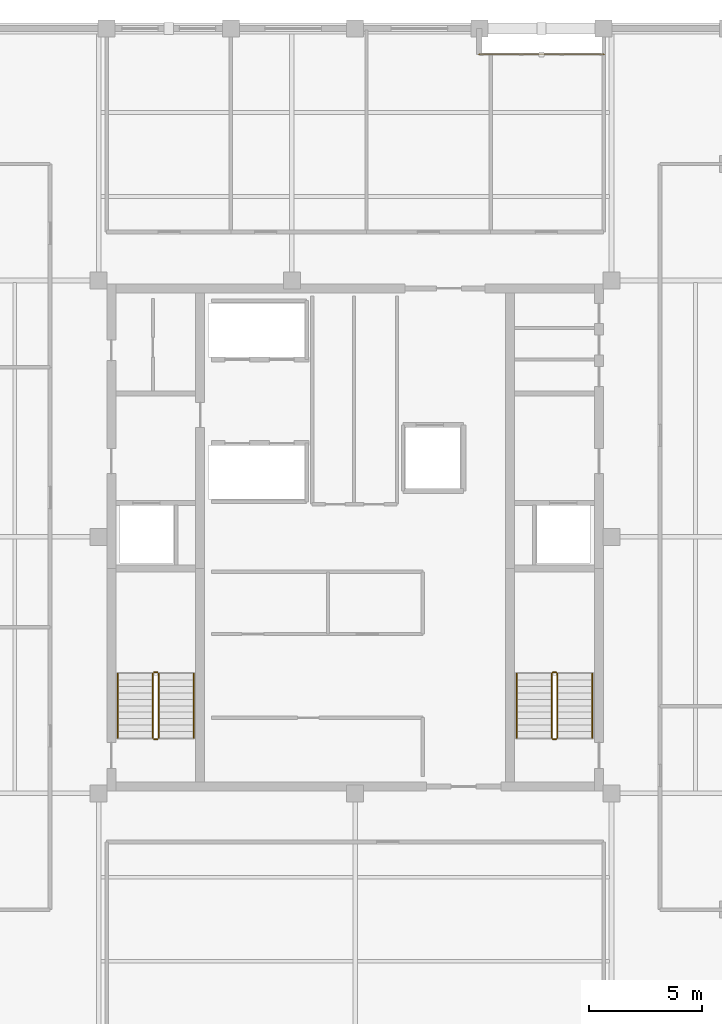
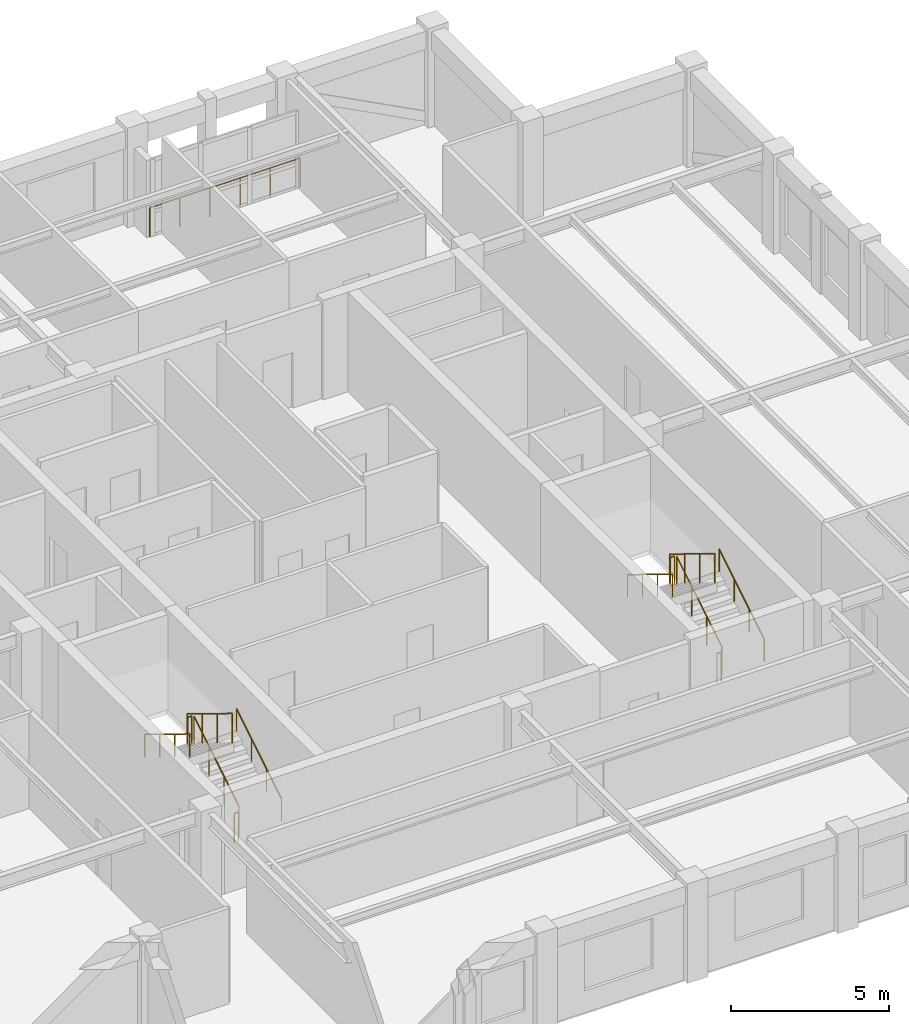
# One storey, part 10 of 10: 13 railings.
"""IFC4 building model written with IfcOpenShell, lengths in metres."""

from ifc_helpers import new_model, si_unit, direction, frame, origin, origin_2d, place, context, subcontext, project, spatial, circle, extrude, material, type_object, element, save


model = new_model("IFC4")

# Units and contexts
model_context = context("Model", 3, precision=1e-05, world=origin(), true_north=direction((0.0, 1.0)))
body_context = subcontext(model_context, "Body", "Model", "MODEL_VIEW")
ifc_project = project(units=[si_unit("LENGTHUNIT", "METRE"), si_unit("AREAUNIT", "SQUARE_METRE"), si_unit("VOLUMEUNIT", "CUBIC_METRE"), si_unit("PLANEANGLEUNIT", "RADIAN"), si_unit("MASSUNIT", "GRAM", prefix="KILO")], contexts=[model_context])

# Site, building, storey
site_placement = place(None, origin())
site = spatial("IfcSite", under=ifc_project, at=site_placement, CompositionType="ELEMENT")
building_placement = place(site_placement, origin())
building = spatial("IfcBuilding", under=site, at=building_placement, Name="Nhamokura Convention Tower", CompositionType="ELEMENT")
storey_placement = place(building_placement, frame((0.0, 0.0, 277.550048828125)))
storey = spatial("IfcBuildingStorey", under=building, at=storey_placement, Name="L68", CompositionType="ELEMENT", Elevation=277.550048828125)

# Railings
ifc_material_1 = material(Name="Anodised bronze stainless steel", Category="steel")
railing_type_1 = type_object("IfcRailingType", Name="StairWallHandrail_900", PredefinedType="HANDRAIL", material=ifc_material_1)
railing_1_placement = place(storey_placement, frame((24.85009765625, 23.10009765625, 0.175048828125)))
element("IfcRailing", 1, at=railing_1_placement, inside=storey, type_object=railing_type_1, Name="L68 ST-01 stair handrail 1", PredefinedType="HANDRAIL", context=body_context, shape_type="SweptSolid", body=[
    extrude(circle(Radius=0.02392578125, at=origin_2d()), frame((0.0, 0.0, 0.8759765625), z_axis=(0.0, 0.852159232446, 0.523282564737), x_axis=(-1.0, 0.0, 0.0)), (0.0, 0.0, 1.0), 3.34423828125),
    extrude(circle(Radius=0.02099609375, at=origin_2d()), origin(), (0.0, 0.0, 1.0), 0.851806640625),
    extrude(circle(Radius=0.02099609375, at=origin_2d()), frame((0.0, 0.949951171875, 0.583251953125)), (0.0, 0.0, 1.0), 0.851806640625),
    extrude(circle(Radius=0.02099609375, at=origin_2d()), frame((0.0, 1.89990234375, 1.166748046875)), (0.0, 0.0, 1.0), 0.851806640625),
    extrude(circle(Radius=0.02099609375, at=origin_2d()), frame((0.0, 2.849853515625, 1.75)), (0.0, 0.0, 1.0), 0.851806640625),
])
railing_2_placement = place(storey_placement, frame((21.5, 25.949951171875, 2.099853515625)))
element("IfcRailing", 2, at=railing_2_placement, inside=storey, type_object=railing_type_1, Name="L68 ST-01 stair handrail 2", PredefinedType="HANDRAIL", context=body_context, shape_type="SweptSolid", body=[
    extrude(circle(Radius=0.02392578125, at=origin_2d()), frame((0.0, 0.0, 0.8759765625), z_axis=(0.0, -0.852159232446, 0.523282564737), x_axis=(1.0, 0.0, 0.0)), (0.0, 0.0, 1.0), 3.34423828125),
    extrude(circle(Radius=0.02099609375, at=origin_2d()), origin(), (0.0, 0.0, 1.0), 0.851806640625),
    extrude(circle(Radius=0.02099609375, at=origin_2d()), frame((0.0, -0.949951171875, 0.583251953125)), (0.0, 0.0, 1.0), 0.851806640625),
    extrude(circle(Radius=0.02099609375, at=origin_2d()), frame((0.0, -1.89990234375, 1.166748046875)), (0.0, 0.0, 1.0), 0.851806640625),
    extrude(circle(Radius=0.02099609375, at=origin_2d()), frame((0.0, -2.849853515625, 1.75)), (0.0, 0.0, 1.0), 0.851806640625),
])
railing_3_placement = place(storey_placement, frame((42.5, 23.10009765625, 0.175048828125)))
element("IfcRailing", 3, at=railing_3_placement, inside=storey, type_object=railing_type_1, Name="L68 ST-02 stair handrail 1", PredefinedType="HANDRAIL", context=body_context, shape_type="SweptSolid", body=[
    extrude(circle(Radius=0.02392578125, at=origin_2d()), frame((0.0, 0.0, 0.8759765625), z_axis=(0.0, 0.852159232446, 0.523282564737), x_axis=(-1.0, 0.0, 0.0)), (0.0, 0.0, 1.0), 3.34423828125),
    extrude(circle(Radius=0.02099609375, at=origin_2d()), origin(), (0.0, 0.0, 1.0), 0.851806640625),
    extrude(circle(Radius=0.02099609375, at=origin_2d()), frame((0.0, 0.949951171875, 0.583251953125)), (0.0, 0.0, 1.0), 0.851806640625),
    extrude(circle(Radius=0.02099609375, at=origin_2d()), frame((0.0, 1.89990234375, 1.166748046875)), (0.0, 0.0, 1.0), 0.851806640625),
    extrude(circle(Radius=0.02099609375, at=origin_2d()), frame((0.0, 2.849853515625, 1.75)), (0.0, 0.0, 1.0), 0.851806640625),
])
railing_4_placement = place(storey_placement, frame((39.14990234375, 25.949951171875, 2.099853515625)))
element("IfcRailing", 4, at=railing_4_placement, inside=storey, type_object=railing_type_1, Name="L68 ST-02 stair handrail 2", PredefinedType="HANDRAIL", context=body_context, shape_type="SweptSolid", body=[
    extrude(circle(Radius=0.02392578125, at=origin_2d()), frame((0.0, 0.0, 0.8759765625), z_axis=(0.0, -0.852159232446, 0.523282564737), x_axis=(1.0, 0.0, 0.0)), (0.0, 0.0, 1.0), 3.34423828125),
    extrude(circle(Radius=0.02099609375, at=origin_2d()), origin(), (0.0, 0.0, 1.0), 0.851806640625),
    extrude(circle(Radius=0.02099609375, at=origin_2d()), frame((0.0, -0.949951171875, 0.583251953125)), (0.0, 0.0, 1.0), 0.851806640625),
    extrude(circle(Radius=0.02099609375, at=origin_2d()), frame((0.0, -1.89990234375, 1.166748046875)), (0.0, 0.0, 1.0), 0.851806640625),
    extrude(circle(Radius=0.02099609375, at=origin_2d()), frame((0.0, -2.849853515625, 1.75)), (0.0, 0.0, 1.0), 0.851806640625),
])
ifc_material_2 = material(Name="Painted tubular steel", Category="steel")
railing_type_2 = type_object("IfcRailingType", Name="StairWellGuardrail_1150", PredefinedType="GUARDRAIL", material=ifc_material_2)
railing_5_placement = place(storey_placement, frame((23.300048828125, 23.10009765625, 0.175048828125)))
element("IfcRailing", 5, at=railing_5_placement, inside=storey, type_object=railing_type_2, Name="L68 ST-01 stair guard 1", PredefinedType="GUARDRAIL", context=body_context, shape_type="SweptSolid", body=[
    extrude(circle(Radius=0.02392578125, at=origin_2d()), frame((0.0, 0.0, 1.1259765625), z_axis=(0.0, 0.852159232446, 0.523282564737), x_axis=(-1.0, 0.0, 0.0)), (0.0, 0.0, 1.0), 3.34423828125),
    extrude(circle(Radius=0.02099609375, at=origin_2d()), origin(), (0.0, 0.0, 1.0), 1.101806640625),
    extrude(circle(Radius=0.02099609375, at=origin_2d()), frame((0.0, 0.949951171875, 0.583251953125)), (0.0, 0.0, 1.0), 1.101806640625),
    extrude(circle(Radius=0.02099609375, at=origin_2d()), frame((0.0, 1.89990234375, 1.166748046875)), (0.0, 0.0, 1.0), 1.101806640625),
    extrude(circle(Radius=0.02099609375, at=origin_2d()), frame((0.0, 2.849853515625, 1.75)), (0.0, 0.0, 1.0), 1.101806640625),
])
railing_6_placement = place(storey_placement, frame((23.25, 26.0, 1.925048828125)))
element("IfcRailing", 6, at=railing_6_placement, inside=storey, type_object=railing_type_2, Name="L68 ST-01 stair guard 2", PredefinedType="GUARDRAIL", context=body_context, shape_type="SweptSolid", body=[
    extrude(circle(Radius=0.02392578125, at=origin_2d()), frame((0.0, 0.0, 1.1259765625), z_axis=(-1.0, 0.0, 0.0), x_axis=(0.0, -1.0, 0.0)), (0.0, 0.0, 1.0), 0.14990234375),
    extrude(circle(Radius=0.02099609375, at=origin_2d()), origin(), (0.0, 0.0, 1.0), 1.101806640625),
    extrude(circle(Radius=0.02099609375, at=origin_2d()), frame((-0.14990234375, 0.0, 0.0)), (0.0, 0.0, 1.0), 1.101806640625),
])
railing_7_placement = place(storey_placement, frame((23.050048828125, 25.949951171875, 2.099853515625)))
element("IfcRailing", 7, at=railing_7_placement, inside=storey, type_object=railing_type_2, Name="L68 ST-01 stair guard 3", PredefinedType="GUARDRAIL", context=body_context, shape_type="SweptSolid", body=[
    extrude(circle(Radius=0.02392578125, at=origin_2d()), frame((0.0, 0.0, 1.1259765625), z_axis=(0.0, -0.852159232446, 0.523282564737), x_axis=(1.0, 0.0, 0.0)), (0.0, 0.0, 1.0), 3.34423828125),
    extrude(circle(Radius=0.02099609375, at=origin_2d()), origin(), (0.0, 0.0, 1.0), 1.101806640625),
    extrude(circle(Radius=0.02099609375, at=origin_2d()), frame((0.0, -0.949951171875, 0.583251953125)), (0.0, 0.0, 1.0), 1.101806640625),
    extrude(circle(Radius=0.02099609375, at=origin_2d()), frame((0.0, -1.89990234375, 1.166748046875)), (0.0, 0.0, 1.0), 1.101806640625),
    extrude(circle(Radius=0.02099609375, at=origin_2d()), frame((0.0, -2.849853515625, 1.75)), (0.0, 0.0, 1.0), 1.101806640625),
])
railing_8_placement = place(storey_placement, frame((23.25, 23.050048828125, 0.0)))
element("IfcRailing", 8, at=railing_8_placement, inside=storey, type_object=railing_type_2, Name="L68 ST-01 stair guard 4", PredefinedType="GUARDRAIL", context=body_context, shape_type="SweptSolid", body=[
    extrude(circle(Radius=0.02392578125, at=origin_2d()), frame((0.0, 0.0, 1.1259765625), z_axis=(-1.0, 0.0, 0.0), x_axis=(0.0, -1.0, 0.0)), (0.0, 0.0, 1.0), 0.14990234375),
    extrude(circle(Radius=0.02099609375, at=origin_2d()), origin(), (0.0, 0.0, 1.0), 1.101806640625),
    extrude(circle(Radius=0.02099609375, at=origin_2d()), frame((-0.14990234375, 0.0, 0.0)), (0.0, 0.0, 1.0), 1.101806640625),
])
railing_9_placement = place(storey_placement, frame((40.949951171875, 23.10009765625, 0.175048828125)))
element("IfcRailing", 9, at=railing_9_placement, inside=storey, type_object=railing_type_2, Name="L68 ST-02 stair guard 1", PredefinedType="GUARDRAIL", context=body_context, shape_type="SweptSolid", body=[
    extrude(circle(Radius=0.02392578125, at=origin_2d()), frame((0.0, 0.0, 1.1259765625), z_axis=(0.0, 0.852159232446, 0.523282564737), x_axis=(-1.0, 0.0, 0.0)), (0.0, 0.0, 1.0), 3.34423828125),
    extrude(circle(Radius=0.02099609375, at=origin_2d()), origin(), (0.0, 0.0, 1.0), 1.101806640625),
    extrude(circle(Radius=0.02099609375, at=origin_2d()), frame((0.0, 0.949951171875, 0.583251953125)), (0.0, 0.0, 1.0), 1.101806640625),
    extrude(circle(Radius=0.02099609375, at=origin_2d()), frame((0.0, 1.89990234375, 1.166748046875)), (0.0, 0.0, 1.0), 1.101806640625),
    extrude(circle(Radius=0.02099609375, at=origin_2d()), frame((0.0, 2.849853515625, 1.75)), (0.0, 0.0, 1.0), 1.101806640625),
])
railing_10_placement = place(storey_placement, frame((40.89990234375, 26.0, 1.925048828125)))
element("IfcRailing", 10, at=railing_10_placement, inside=storey, type_object=railing_type_2, Name="L68 ST-02 stair guard 2", PredefinedType="GUARDRAIL", context=body_context, shape_type="SweptSolid", body=[
    extrude(circle(Radius=0.02392578125, at=origin_2d()), frame((0.0, 0.0, 1.1259765625), z_axis=(-1.0, 0.0, 0.0), x_axis=(0.0, -1.0, 0.0)), (0.0, 0.0, 1.0), 0.14990234375),
    extrude(circle(Radius=0.02099609375, at=origin_2d()), origin(), (0.0, 0.0, 1.0), 1.101806640625),
    extrude(circle(Radius=0.02099609375, at=origin_2d()), frame((-0.14990234375, 0.0, 0.0)), (0.0, 0.0, 1.0), 1.101806640625),
])
railing_11_placement = place(storey_placement, frame((40.699951171875, 25.949951171875, 2.099853515625)))
element("IfcRailing", 11, at=railing_11_placement, inside=storey, type_object=railing_type_2, Name="L68 ST-02 stair guard 3", PredefinedType="GUARDRAIL", context=body_context, shape_type="SweptSolid", body=[
    extrude(circle(Radius=0.02392578125, at=origin_2d()), frame((0.0, 0.0, 1.1259765625), z_axis=(0.0, -0.852159232446, 0.523282564737), x_axis=(1.0, 0.0, 0.0)), (0.0, 0.0, 1.0), 3.34423828125),
    extrude(circle(Radius=0.02099609375, at=origin_2d()), origin(), (0.0, 0.0, 1.0), 1.101806640625),
    extrude(circle(Radius=0.02099609375, at=origin_2d()), frame((0.0, -0.949951171875, 0.583251953125)), (0.0, 0.0, 1.0), 1.101806640625),
    extrude(circle(Radius=0.02099609375, at=origin_2d()), frame((0.0, -1.89990234375, 1.166748046875)), (0.0, 0.0, 1.0), 1.101806640625),
    extrude(circle(Radius=0.02099609375, at=origin_2d()), frame((0.0, -2.849853515625, 1.75)), (0.0, 0.0, 1.0), 1.101806640625),
])
railing_12_placement = place(storey_placement, frame((40.89990234375, 23.050048828125, 0.0)))
element("IfcRailing", 12, at=railing_12_placement, inside=storey, type_object=railing_type_2, Name="L68 ST-02 stair guard 4", PredefinedType="GUARDRAIL", context=body_context, shape_type="SweptSolid", body=[
    extrude(circle(Radius=0.02392578125, at=origin_2d()), frame((0.0, 0.0, 1.1259765625), z_axis=(-1.0, 0.0, 0.0), x_axis=(0.0, -1.0, 0.0)), (0.0, 0.0, 1.0), 0.14990234375),
    extrude(circle(Radius=0.02099609375, at=origin_2d()), origin(), (0.0, 0.0, 1.0), 1.101806640625),
    extrude(circle(Radius=0.02099609375, at=origin_2d()), frame((-0.14990234375, 0.0, 0.0)), (0.0, 0.0, 1.0), 1.101806640625),
])
ifc_material_3 = material(Name="Anodised bronze stainless steel", Category="steel")
railing_type_3 = type_object("IfcRailingType", Name="TerraceGuardrail_1150", PredefinedType="GUARDRAIL", material=ifc_material_3)
railing_13_placement = place(storey_placement, frame((37.5, 53.35009765625, 0.0)))
element("IfcRailing", 13, at=railing_13_placement, inside=storey, type_object=railing_type_3, Name="L68 Scale-Slot Edge Guardrail NORTH 4", PredefinedType="GUARDRAIL", context=body_context, shape_type="SweptSolid", body=[
    extrude(circle(Radius=0.02392578125, at=origin_2d()), frame((0.0, 0.0, 1.1259765625), z_axis=(1.0, 0.0, 0.0), x_axis=(0.0, 1.0, 0.0)), (0.0, 0.0, 1.0), 5.5),
    extrude(circle(Radius=0.02099609375, at=origin_2d()), origin(), (0.0, 0.0, 1.0), 1.101806640625),
    extrude(circle(Radius=0.02099609375, at=origin_2d()), frame((1.10009765625, 0.0, 0.0)), (0.0, 0.0, 1.0), 1.101806640625),
    extrude(circle(Radius=0.02099609375, at=origin_2d()), frame((2.199951171875, 0.0, 0.0)), (0.0, 0.0, 1.0), 1.101806640625),
    extrude(circle(Radius=0.02099609375, at=origin_2d()), frame((3.300048828125, 0.0, 0.0)), (0.0, 0.0, 1.0), 1.101806640625),
    extrude(circle(Radius=0.02099609375, at=origin_2d()), frame((4.39990234375, 0.0, 0.0)), (0.0, 0.0, 1.0), 1.101806640625),
    extrude(circle(Radius=0.02099609375, at=origin_2d()), frame((5.5, 0.0, 0.0)), (0.0, 0.0, 1.0), 1.101806640625),
])

save(model, "model.ifc")
